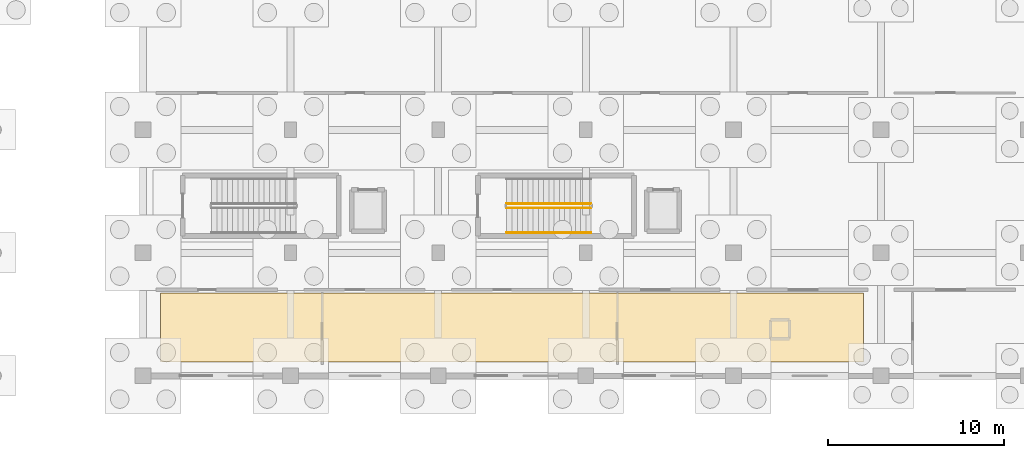
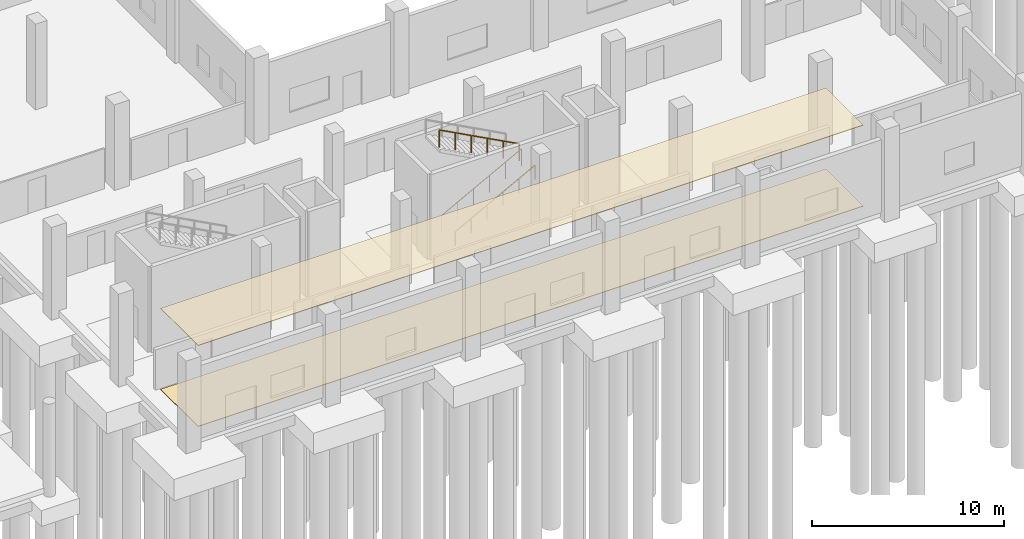
# One storey, part 68 of 83: 3 railings, 2 coverings.
"""IFC4 building model written with IfcOpenShell, lengths in metres."""

from ifc_helpers import new_model, si_unit, direction, frame, origin, origin_2d, place, context, subcontext, project, spatial, polyline, circle, outline, extrude, material, layer, layer_set, type_object, element, save


model = new_model("IFC4")

# Units and contexts
model_context = context("Model", 3, precision=1e-05, world=origin(), true_north=direction((0.0, 1.0)))
body_context = subcontext(model_context, "Body", "Model", "MODEL_VIEW")
ifc_project = project(units=[si_unit("LENGTHUNIT", "METRE"), si_unit("AREAUNIT", "SQUARE_METRE"), si_unit("VOLUMEUNIT", "CUBIC_METRE"), si_unit("PLANEANGLEUNIT", "RADIAN"), si_unit("MASSUNIT", "GRAM", prefix="KILO"), si_unit("THERMODYNAMICTEMPERATUREUNIT", "KELVIN"), si_unit("POWERUNIT", "WATT")], contexts=[model_context])

# Site, building, storey
site_placement = place(None, origin())
site = spatial("IfcSite", under=ifc_project, at=site_placement, CompositionType="ELEMENT")
building_placement = place(site_placement, origin())
building = spatial("IfcBuilding", under=site, at=building_placement, Name="Mavoryth Pier Ferry Terminal", CompositionType="ELEMENT")
storey_placement = place(building_placement, origin())
storey = spatial("IfcBuildingStorey", under=building, at=storey_placement, Name="L00", CompositionType="ELEMENT", Elevation=0.0)

# Coverings
ifc_material_1 = material(Name="Acoustic Mineral-Fibre Suspended Ceiling")
ifc_layer_1 = layer(ifc_material_1, 0.030029296875, Name="Acoustic Mineral-Fibre Suspended Ceiling")
ifc_layer_set_1 = layer_set([ifc_layer_1], Name="Acoustic Mineral-Fibre Suspended Ceiling - Ceil-MineralTile-30")
covering_type_1 = type_object("IfcCoveringType", Name="Ceil-MineralTile-30", PredefinedType="CEILING", material=ifc_layer_set_1)
covering_1_placement = place(storey_placement, frame((0.0, 0.0, 5.14990234375)))
element("IfcCovering", 1, at=covering_1_placement, inside=storey, type_object=covering_type_1, Name="Covering COV-L00-005", PredefinedType="CEILING", context=body_context, shape_type="SweptSolid", body=[
    extrude(outline(polyline([(43.0, 0.800048828125), (83.0, 0.800048828125), (83.0, 4.699951171875), (43.0, 4.699951171875), (43.0, 0.800048828125)])), origin(), (0.0, 0.0, 1.0), 0.030029296875),
])
ifc_material_2 = material(Name="Vitrified Non-Slip Porcelain Floor Tile")
ifc_layer_2 = layer(ifc_material_2, 0.031982421875, Name="Vitrified Non-Slip Porcelain Floor Tile")
ifc_layer_set_2 = layer_set([ifc_layer_2], Name="Vitrified Non-Slip Porcelain Floor Tile - Floor-PorcelainTile-32")
covering_type_2 = type_object("IfcCoveringType", Name="Floor-PorcelainTile-32", PredefinedType="FLOORING", material=ifc_layer_set_2)
covering_2_placement = place(storey_placement, origin())
element("IfcCovering", 2, at=covering_2_placement, inside=storey, type_object=covering_type_2, Name="Covering COV-L00-004", PredefinedType="FLOORING", context=body_context, shape_type="SweptSolid", body=[
    extrude(outline(polyline([(43.0, 0.800048828125), (83.0, 0.800048828125), (83.0, 4.699951171875), (43.0, 4.699951171875), (43.0, 0.800048828125)])), origin(), (0.0, 0.0, 1.0), 0.031982421875),
])

# Railings
ifc_material_3 = material(Name="Painted Galvanised Steel Balustrade", Category="steel")
railing_type_1 = type_object("IfcRailingType", Name="Guard-Stair-Steel1100", PredefinedType="GUARDRAIL", material=ifc_material_3)
railing_1_placement = place(storey_placement, frame((62.699951171875, 9.550048828125, 0.159912109375)))
element("IfcRailing", 3, at=railing_1_placement, inside=storey, type_object=railing_type_1, Name="L00 ST12 stair guard 1", PredefinedType="GUARDRAIL", context=body_context, shape_type="SweptSolid", body=[
    extrude(circle(Radius=0.02392578125, at=origin_2d()), frame((0.0, 0.0, 1.076171875), z_axis=(0.882350456557, 0.0, 0.470592893925), x_axis=(0.0, 1.0, 0.0)), (0.0, 0.0, 1.0), 5.440185546875),
    extrude(circle(Radius=0.02099609375, at=origin_2d()), origin(), (0.0, 0.0, 1.0), 1.052001953125),
    extrude(circle(Radius=0.02099609375, at=origin_2d()), frame((0.9599609375, 0.0, 0.511962890625)), (0.0, 0.0, 1.0), 1.052001953125),
    extrude(circle(Radius=0.02099609375, at=origin_2d()), frame((1.919921875, 0.0, 1.02392578125)), (0.0, 0.0, 1.0), 1.052001953125),
    extrude(circle(Radius=0.02099609375, at=origin_2d()), frame((2.880126953125, 0.0, 1.5361328125)), (0.0, 0.0, 1.0), 1.052001953125),
    extrude(circle(Radius=0.02099609375, at=origin_2d()), frame((3.840087890625, 0.0, 2.048095703125)), (0.0, 0.0, 1.0), 1.052001953125),
    extrude(circle(Radius=0.02099609375, at=origin_2d()), frame((4.800048828125, 0.0, 2.56005859375)), (0.0, 0.0, 1.0), 1.052001953125),
])
railing_2_placement = place(storey_placement, frame((67.5, 9.800048828125, 2.8798828125)))
element("IfcRailing", 4, at=railing_2_placement, inside=storey, type_object=railing_type_1, Name="L00 ST12 stair guard 3", PredefinedType="GUARDRAIL", context=body_context, shape_type="SweptSolid", body=[
    extrude(circle(Radius=0.02392578125, at=origin_2d()), frame((0.0, 0.0, 1.076171875), z_axis=(-0.882350456557, 0.0, 0.470592893925), x_axis=(0.0, -1.0, 0.0)), (0.0, 0.0, 1.0), 5.440185546875),
    extrude(circle(Radius=0.02099609375, at=origin_2d()), origin(), (0.0, 0.0, 1.0), 1.052001953125),
    extrude(circle(Radius=0.02099609375, at=origin_2d()), frame((-0.9599609375, 0.0, 0.511962890625)), (0.0, 0.0, 1.0), 1.052001953125),
    extrude(circle(Radius=0.02099609375, at=origin_2d()), frame((-1.919921875, 0.0, 1.02392578125)), (0.0, 0.0, 1.0), 1.052001953125),
    extrude(circle(Radius=0.02099609375, at=origin_2d()), frame((-2.880126953125, 0.0, 1.5361328125)), (0.0, 0.0, 1.0), 1.052001953125),
    extrude(circle(Radius=0.02099609375, at=origin_2d()), frame((-3.840087890625, 0.0, 2.048095703125)), (0.0, 0.0, 1.0), 1.052001953125),
    extrude(circle(Radius=0.02099609375, at=origin_2d()), frame((-4.800048828125, 0.0, 2.56005859375)), (0.0, 0.0, 1.0), 1.052001953125),
])
ifc_material_4 = material(Name="Brushed Stainless Steel Tubular Handrail", Category="steel")
railing_type_2 = type_object("IfcRailingType", Name="Handrail-Stair-SS900", PredefinedType="HANDRAIL", material=ifc_material_4)
railing_3_placement = place(storey_placement, frame((62.699951171875, 8.14990234375, 0.159912109375)))
element("IfcRailing", 5, at=railing_3_placement, inside=storey, type_object=railing_type_2, Name="L00 ST12 stair handrail 1", PredefinedType="HANDRAIL", context=body_context, shape_type="SweptSolid", body=[
    extrude(circle(Radius=0.02392578125, at=origin_2d()), frame((0.0, 0.0, 0.8759765625), z_axis=(0.882350456557, 0.0, 0.470592893925), x_axis=(0.0, 1.0, 0.0)), (0.0, 0.0, 1.0), 5.440185546875),
    extrude(circle(Radius=0.02099609375, at=origin_2d()), origin(), (0.0, 0.0, 1.0), 0.851806640625),
    extrude(circle(Radius=0.02099609375, at=origin_2d()), frame((0.9599609375, 0.0, 0.511962890625)), (0.0, 0.0, 1.0), 0.851806640625),
    extrude(circle(Radius=0.02099609375, at=origin_2d()), frame((1.919921875, 0.0, 1.02392578125)), (0.0, 0.0, 1.0), 0.851806640625),
    extrude(circle(Radius=0.02099609375, at=origin_2d()), frame((2.880126953125, 0.0, 1.5361328125)), (0.0, 0.0, 1.0), 0.851806640625),
    extrude(circle(Radius=0.02099609375, at=origin_2d()), frame((3.840087890625, 0.0, 2.048095703125)), (0.0, 0.0, 1.0), 0.851806640625),
    extrude(circle(Radius=0.02099609375, at=origin_2d()), frame((4.800048828125, 0.0, 2.56005859375)), (0.0, 0.0, 1.0), 0.851806640625),
])

save(model, "model.ifc")
